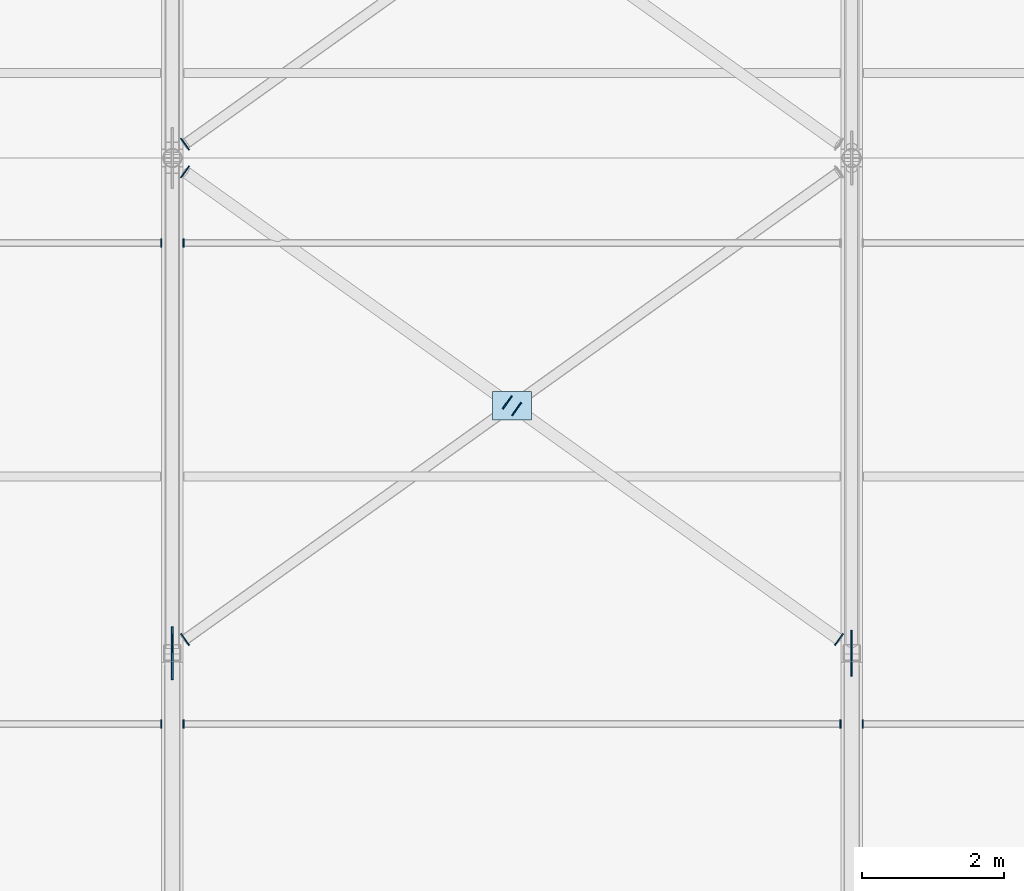
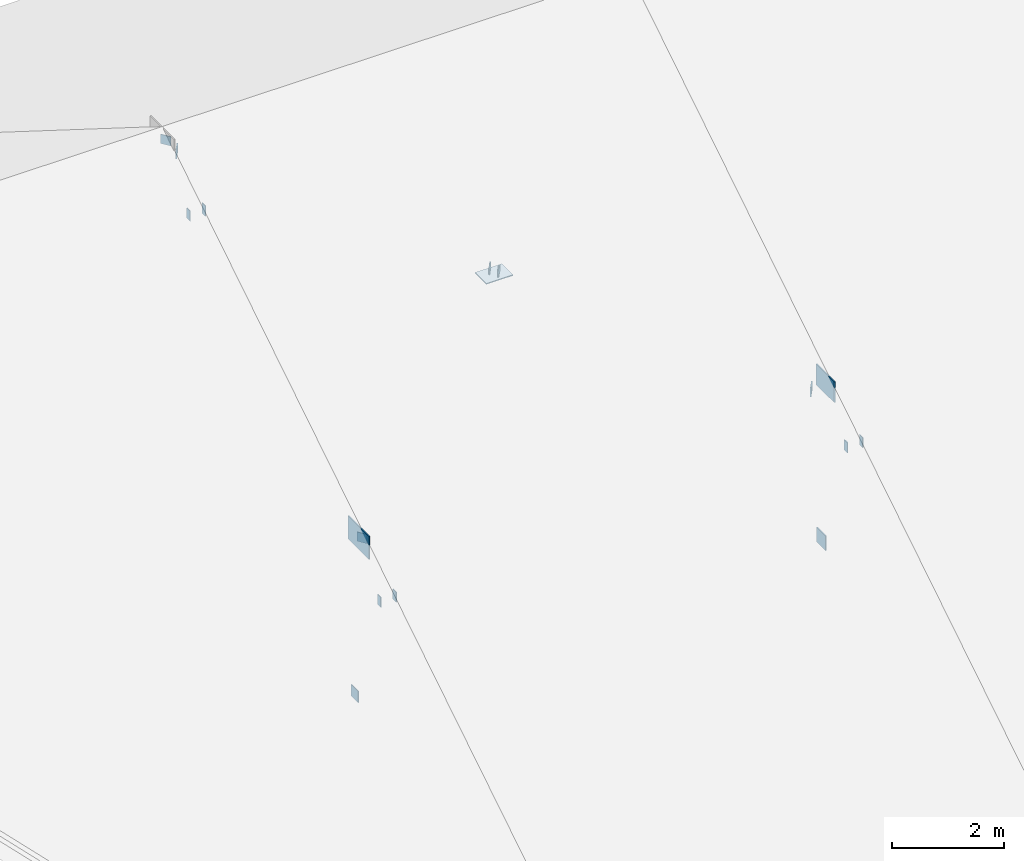
# One storey, part 42 of 66: 17 plates.
"""IFC4 building model written with IfcOpenShell, lengths in metres."""

import ifcopenshell
import ifcopenshell.guid

model = None  # the IFC model being written
_history = None  # IfcOwnerHistory: only IFC2X3 demands one
_inside = {}  # id of a spatial element -> (the spatial element, [elements in it])
_under = {}  # id of a project, library or spatial element -> (it, [spatial elements below it])
_declared = {}  # id of a project -> (the project, [libraries it declares])
_typed = {}  # id of a type object -> (the type object, [elements of that type])
_made_of = {}  # id of a material, layer set ... -> (it, [elements and type objects made of it])


def new_model(schema):
    """Start an empty IFC model of exactly this schema.

    Asked for "IFC4X3", IfcOpenShell would pick the latest addendum, in which some entities
    have other attributes; the version numbers below select the first issue.
    IFC2X3 requires an IfcOwnerHistory on every rooted entity: one is made here for all.
    """
    global model, _history
    if schema == "IFC4X3":
        model = ifcopenshell.file(schema_version=(4, 3, 0, 0))
    else:
        model = ifcopenshell.file(schema=schema)
    _inside.clear()
    _under.clear()
    _declared.clear()
    _typed.clear()
    _made_of.clear()
    _history = None
    if model.schema == "IFC2X3":
        org = make("IfcOrganization", Name="unknown")
        user = make(
            "IfcPersonAndOrganization",
            ThePerson=make("IfcPerson", FamilyName="unknown"),
            TheOrganization=org,
        )
        app = make(
            "IfcApplication",
            ApplicationDeveloper=org,
            Version="unknown",
            ApplicationFullName="unknown",
            ApplicationIdentifier="unknown",
        )
        _history = make(
            "IfcOwnerHistory",
            OwningUser=user,
            OwningApplication=app,
            ChangeAction="ADDED",
            CreationDate=0,
        )
    return model


def make(cls, **values):
    """One entity of the class cls with the attributes given. An attribute that is None is left unset."""
    return model.create_entity(
        cls, **{name: value for name, value in values.items() if value is not None}
    )


def rooted(cls, **values):
    """An entity with a GlobalId (a new one), such as an element, a storey or a relation."""
    return make(cls, GlobalId=ifcopenshell.guid.new(), OwnerHistory=_history, **values)


def si_unit(unit_type, name, prefix=None):
    """IfcSIUnit, for example si_unit("LENGTHUNIT", "METRE", prefix="MILLI")."""
    return make("IfcSIUnit", UnitType=unit_type, Prefix=prefix, Name=name)


def assignment(units):
    """IfcUnitAssignment: the units of a project."""
    return None if units is None else make("IfcUnitAssignment", Units=units)


def point(xyz):
    """IfcCartesianPoint."""
    return None if xyz is None else make("IfcCartesianPoint", Coordinates=xyz)


def direction(xyz):
    """IfcDirection."""
    return None if xyz is None else make("IfcDirection", DirectionRatios=xyz)


def frame(location, z_axis=None, x_axis=None):
    """IfcAxis2Placement3D, a coordinate frame: its origin and axes. An axis left out is left unset."""
    return make(
        "IfcAxis2Placement3D",
        Location=point(location),
        Axis=direction(z_axis),
        RefDirection=direction(x_axis),
    )


def frame_2d(location, x_axis=None):
    """IfcAxis2Placement2D, a coordinate frame in the plane: its origin and x axis."""
    return make(
        "IfcAxis2Placement2D", Location=point(location), RefDirection=direction(x_axis)
    )


def origin():
    """The frame at (0, 0, 0) with its axes left unset."""
    return frame((0.0, 0.0, 0.0))


def origin_2d():
    """The frame at (0, 0) in the plane with its x axis left unset."""
    return frame_2d((0.0, 0.0))


def place(relative_to, where):
    """IfcLocalPlacement: puts the frame where relative to a parent placement (None: the world)."""
    return make(
        "IfcLocalPlacement", PlacementRelTo=relative_to, RelativePlacement=where
    )


def context(
    kind, dimensions, precision=None, world=None, true_north=None, identifier=None
):
    """IfcGeometricRepresentationContext, for example the 3D "Model" context."""
    return make(
        "IfcGeometricRepresentationContext",
        ContextIdentifier=identifier,
        ContextType=kind,
        CoordinateSpaceDimension=dimensions,
        Precision=precision,
        WorldCoordinateSystem=world,
        TrueNorth=true_north,
    )


def subcontext(parent, identifier, kind, view, scale=None):
    """IfcGeometricRepresentationSubContext, for example "Body" below "Model"."""
    return make(
        "IfcGeometricRepresentationSubContext",
        ContextIdentifier=identifier,
        ContextType=kind,
        ParentContext=parent,
        TargetScale=scale,
        TargetView=view,
    )


def project(units=None, contexts=None):
    """IfcProject with its units and contexts."""
    return rooted(
        "IfcProject",
        Name="project",
        RepresentationContexts=contexts,
        UnitsInContext=assignment(units),
    )


def spatial(cls, under=None, at=None, **own):
    """A site, building, storey or space (cls), placed at a placement, below another one or the project."""
    s = rooted(cls, ObjectPlacement=at, **own)
    if under is not None:
        _under.setdefault(under.id(), (under, []))[1].append(s)
    return s


def profile(cls, at=None, kind="AREA", **sizes):
    """A parametric profile (cls). Its sizes go by their IFC names, for example OverallWidth=200.0."""
    return make(cls, ProfileType=kind, Position=at, **sizes)


def rectangle(**sizes):
    """IfcRectangleProfileDef."""
    return profile("IfcRectangleProfileDef", **sizes)


def extrude(swept, where, along, depth):
    """IfcExtrudedAreaSolid: the profile swept, set in the frame where, extruded along a direction by depth."""
    return make(
        "IfcExtrudedAreaSolid",
        SweptArea=swept,
        Position=where,
        ExtrudedDirection=direction(along),
        Depth=depth,
    )


def shape(context_of_items, identifier, shape_type, items):
    """IfcShapeRepresentation: the items that make up one representation, for example the "Body"."""
    return make(
        "IfcShapeRepresentation",
        ContextOfItems=context_of_items,
        RepresentationIdentifier=identifier,
        RepresentationType=shape_type,
        Items=items,
    )


def material(Name=None, Category=None):
    """IfcMaterial."""
    return make("IfcMaterial", Name=Name, Category=Category)


def layer(
    of_material, thickness, ventilated=None, Name=None, Category=None, Priority=None
):
    """IfcMaterialLayer: one layer of a wall or slab, of a material (None: an air gap)."""
    return make(
        "IfcMaterialLayer",
        Material=of_material,
        LayerThickness=thickness,
        IsVentilated=ventilated,
        Name=Name,
        Category=Category,
        Priority=Priority,
    )


def layer_set(layers, Name=None):
    """IfcMaterialLayerSet."""
    return make("IfcMaterialLayerSet", MaterialLayers=layers, LayerSetName=Name)


def made_of(thing, what):
    """Note that an element or type object is made of a material, layer set ...; save() writes the relation."""
    if what is not None:
        _made_of.setdefault(what.id(), (what, []))[1].append(thing)
    return thing


def type_object(cls, material=None, **own):
    """A type object (cls), such as IfcWallType, which elements share."""
    return made_of(rooted(cls, **own), material)


def element(
    cls,
    number,
    at=None,
    inside=None,
    cuts=None,
    type_object=None,
    material=None,
    context=None,
    identifier="Body",
    shape_type=None,
    held_by="IfcProductDefinitionShape",
    body=None,
    shapes=None,
    **own,
):
    """One element of the class cls, such as IfcWall. Its Tag is "e" and its number.

    at: its placement. inside: the storey or other place that contains it. cuts: it is an
    opening in that element (IfcRelVoidsElement). A single representation is given by context,
    identifier, shape_type and body (its items); several are given by shapes. held_by: the class
    of the entity that holds the representations. save() writes the other relations.
    """
    e = rooted(cls, Tag="e%d" % number, ObjectPlacement=at, **own)
    if body is not None:
        shapes = [shape(context, identifier, shape_type, body)]
    if shapes is not None:
        e.Representation = make(held_by, Representations=shapes)
    if inside is not None:
        _inside.setdefault(inside.id(), (inside, []))[1].append(e)
    if cuts is not None:
        rooted(
            "IfcRelVoidsElement", RelatingBuildingElement=cuts, RelatedOpeningElement=e
        )
    if type_object is not None:
        _typed.setdefault(type_object.id(), (type_object, []))[1].append(e)
    return made_of(e, material)


def aggregate(whole, parts):
    """IfcRelAggregates: a whole, such as a stair, and the parts it consists of."""
    return rooted("IfcRelAggregates", RelatingObject=whole, RelatedObjects=parts)


def save(model, path):
    """Write the relations noted so far, then the file.

    IfcRelAggregates (storeys below a building ...), IfcRelContainedInSpatialStructure (elements
    in a storey), IfcRelDefinesByType, IfcRelAssociatesMaterial and IfcRelDeclares: one each for
    every whole, place, type object, material and project.
    """
    for whole, parts in _under.values():
        aggregate(whole, parts)
    for where, things in _inside.values():
        rooted(
            "IfcRelContainedInSpatialStructure",
            RelatedElements=things,
            RelatingStructure=where,
        )
    for kind, things in _typed.values():
        rooted("IfcRelDefinesByType", RelatedObjects=things, RelatingType=kind)
    for what, things in _made_of.values():
        rooted("IfcRelAssociatesMaterial", RelatedObjects=things, RelatingMaterial=what)
    for by, libraries in _declared.values():
        rooted("IfcRelDeclares", RelatingContext=by, RelatedDefinitions=libraries)
    model.write(path)


model = new_model("IFC4")

# Units and contexts
model_context = context("Model", 3, precision=1e-05, world=origin(), true_north=direction((0.0, 1.0)))
body_context = subcontext(model_context, "Body", "Model", "MODEL_VIEW")
ifc_project = project(units=[si_unit("LENGTHUNIT", "METRE"), si_unit("AREAUNIT", "SQUARE_METRE"), si_unit("VOLUMEUNIT", "CUBIC_METRE"), si_unit("PLANEANGLEUNIT", "RADIAN"), si_unit("MASSUNIT", "GRAM", prefix="KILO")], contexts=[model_context])

# Site, building, storey
site_placement = place(None, origin())
site = spatial("IfcSite", under=ifc_project, at=site_placement, CompositionType="ELEMENT")
building_placement = place(site_placement, origin())
building = spatial("IfcBuilding", under=site, at=building_placement, Name="Yeouljin Market Hall", CompositionType="ELEMENT")
storey_placement = place(building_placement, frame((0.0, 0.0, 23.39990234375)))
storey = spatial("IfcBuildingStorey", under=building, at=storey_placement, Name="RF", CompositionType="ELEMENT", Elevation=23.39990234375)

# Plates
ifc_material_1 = material(Name="Steel SM355", Category="steel")
ifc_layer_1 = layer(ifc_material_1, 0.01611328125)
ifc_layer_set_1 = layer_set([ifc_layer_1], Name="Steel SM355")
plate_type_1 = type_object("IfcPlateType", Name="CapPlate_200x200x16", PredefinedType="SHEET", material=ifc_layer_set_1)
for number, where, z_axis, x_axis, name in (
    (1, (83.579833984375, 50.19580078125, -3.78271484375), (0.0, 0.0, 1.0), (-0.581697151818, 0.813405448449, 0.0), "Wind brace end-cap plate 0157"),
    (2, (83.579833984375, 56.80419921875, 0.623046875), (0.0, 0.0, 1.0), (0.581697151818, 0.813405448449, 0.0), "Wind brace end-cap plate 0159"),
    (3, (92.820068359375, 50.19580078125, -3.78271484375), (0.0, 0.0, 1.0), (0.581697151818, 0.813405448449, 0.0), "Wind brace end-cap plate 0162"),
    (4, (83.579833984375, 57.19580078125, 0.623046875), (0.0, 0.0, 1.0), (-0.581697151818, 0.813405448449, 0.0), "Wind brace end-cap plate 0163"),
):
    element("IfcPlate", number, at=place(storey_placement, frame(where, z_axis=z_axis, x_axis=x_axis)), inside=storey, type_object=plate_type_1, Name=name, PredefinedType="SHEET", context=body_context, shape_type="SweptSolid", body=[
        extrude(rectangle(XDim=0.199951171875, YDim=0.01611328125, at=origin_2d()), origin(), (0.0, 0.0, 1.0), 0.199951171875),
    ])
ifc_material_2 = material(Name="Steel SM355", Category="steel")
ifc_layer_2 = layer(ifc_material_2, 0.01611328125)
ifc_layer_set_2 = layer_set([ifc_layer_2], Name="Steel SM355")
plate_type_2 = type_object("IfcPlateType", Name="CapPlate_220x120x16", PredefinedType="SHEET", material=ifc_layer_set_2)
for number, where, z_axis, x_axis, name in (
    (5, (83.241943359375, 49.0, -4.318359375), (0.0, 0.0, 1.0), (0.0, 1.0, 0.0), "Purlin end-cap plate 0136"),
    (6, (83.241943359375, 55.800048828125, -0.0439453125), (0.0, 0.0, 1.0), (0.0, 1.0, 0.0), "Purlin end-cap plate 0138"),
    (7, (83.55810546875, 49.0, -4.318359375), (0.0, 0.0, 1.0), (0.0, 1.0, 0.0), "Purlin end-cap plate 0147"),
    (8, (92.842041015625, 49.0, -4.318359375), (0.0, 0.0, 1.0), (0.0, 1.0, 0.0), "Purlin end-cap plate 0148"),
    (9, (83.55810546875, 55.800048828125, -0.0439453125), (0.0, 0.0, 1.0), (0.0, 1.0, 0.0), "Purlin end-cap plate 0149"),
):
    element("IfcPlate", number, at=place(storey_placement, frame(where, z_axis=z_axis, x_axis=x_axis)), inside=storey, type_object=plate_type_2, Name=name, PredefinedType="SHEET", context=body_context, shape_type="SweptSolid", body=[
        extrude(rectangle(XDim=0.1201171875, YDim=0.01611328125, at=origin_2d()), origin(), (0.0, 0.0, 1.0), 0.219970703125),
    ])
for number, where, z_axis, x_axis, name in (
    (10, (88.134033203125, 53.547119140625, -1.508544921875), (0.0, 0.0, 1.0), (0.581697151818, 0.813405448449, 0.0), "Wind brace end-cap plate 0160"),
    (11, (88.265869140625, 53.452880859375, -1.554931640625), (0.0, 0.0, 1.0), (0.581697151818, 0.813405448449, 0.0), "Wind brace end-cap plate 0161"),
):
    element("IfcPlate", number, at=place(storey_placement, frame(where, z_axis=z_axis, x_axis=x_axis)), inside=storey, type_object=plate_type_2, Name=name, PredefinedType="SHEET", context=body_context, shape_type="SweptSolid", body=[
        extrude(rectangle(XDim=0.219970703125, YDim=0.01611328125, at=origin_2d()), origin(), (0.0, 0.0, 1.0), 0.1201171875),
    ])
plate_1_placement = place(storey_placement, frame((93.157958984375, 49.0, -4.318359375), z_axis=(0.0, 0.0, 1.0), x_axis=(0.0, 1.0, 0.0)))
element("IfcPlate", 12, at=plate_1_placement, inside=storey, type_object=plate_type_2, Name="Purlin end-cap plate 0171", PredefinedType="SHEET", context=body_context, shape_type="SweptSolid", body=[
    extrude(rectangle(XDim=0.1201171875, YDim=0.01611328125, at=origin_2d()), origin(), (0.0, 0.0, 1.0), 0.219970703125),
])
ifc_material_3 = material(Name="Steel SM355", Category="steel")
ifc_layer_3 = layer(ifc_material_3, 0.01611328125)
ifc_layer_set_3 = layer_set([ifc_layer_3], Name="Steel SM355")
plate_type_3 = type_object("IfcPlateType", Name="CapPlate_250x250x16", PredefinedType="SHEET", material=ifc_layer_set_3)
plate_2_placement = place(storey_placement, frame((83.39990234375, 50.144287109375, -7.103271484375), z_axis=(0.0, 0.0, 1.0), x_axis=(0.0, 1.0, 0.0)))
element("IfcPlate", 13, at=plate_2_placement, inside=storey, type_object=plate_type_3, Name="Hollow web end-cap plate 0022", PredefinedType="SHEET", context=body_context, shape_type="SweptSolid", body=[
    extrude(rectangle(XDim=0.25, YDim=0.01611328125, at=origin_2d()), origin(), (0.0, 0.0, 1.0), 0.25),
])
ifc_material_4 = material(Name="Steel SM355", Category="steel")
ifc_layer_4 = layer(ifc_material_4, 0.02001953125)
ifc_layer_set_4 = layer_set([ifc_layer_4], Name="Steel SM355")
plate_type_4 = type_object("IfcPlateType", Name="CapPlate_320x320x20", PredefinedType="SHEET", material=ifc_layer_set_4)
plate_3_placement = place(storey_placement, frame((93.0, 50.144287109375, -7.13818359375), z_axis=(0.0, 0.0, 1.0), x_axis=(0.0, 1.0, 0.0)))
element("IfcPlate", 14, at=plate_3_placement, inside=storey, type_object=plate_type_4, Name="Hollow web end-cap plate 0026", PredefinedType="SHEET", context=body_context, shape_type="SweptSolid", body=[
    extrude(rectangle(XDim=0.320068359375, YDim=0.02001953125, at=origin_2d()), origin(), (0.0, 0.0, 1.0), 0.320068359375),
])
ifc_material_5 = material(Name="Steel SM355", Category="steel")
ifc_layer_5 = layer(ifc_material_5, 0.02001953125)
ifc_layer_set_5 = layer_set([ifc_layer_5], Name="Steel SM355")
plate_type_5 = type_object("IfcPlateType", Name="GussetPlate_550x400x20", PredefinedType="USERDEFINED", material=ifc_layer_set_5)
plate_4_placement = place(storey_placement, frame((88.199951171875, 53.5, -1.579833984375), z_axis=(0.0, 0.0, 1.0), x_axis=(1.0, 0.0, 0.0)))
element("IfcPlate", 15, at=plate_4_placement, inside=storey, type_object=plate_type_5, Name="X-brace crossing node gusset plate 005", ObjectType="GUSSET PLATE", PredefinedType="USERDEFINED", context=body_context, shape_type="SweptSolid", body=[
    extrude(rectangle(XDim=0.550048828125, YDim=0.39990234375, at=origin_2d()), origin(), (0.0, 0.0, 1.0), 0.02001953125),
])
ifc_material_6 = material(Name="Steel SM355", Category="steel")
ifc_layer_6 = layer(ifc_material_6, 0.02197265625)
ifc_layer_set_6 = layer_set([ifc_layer_6], Name="Steel SM355")
plate_type_6 = type_object("IfcPlateType", Name="GussetPlate_650x450x22", PredefinedType="USERDEFINED", material=ifc_layer_set_6)
plate_5_placement = place(storey_placement, frame((93.0, 50.0, -3.72509765625), z_axis=(0.0, 0.0, 1.0), x_axis=(0.0, 1.0, 0.0)))
element("IfcPlate", 16, at=plate_5_placement, inside=storey, type_object=plate_type_6, Name="Truss node gusset plate 032", ObjectType="GUSSET PLATE", PredefinedType="USERDEFINED", context=body_context, shape_type="SweptSolid", body=[
    extrude(rectangle(XDim=0.64990234375, YDim=0.02197265625, at=origin_2d()), origin(), (0.0, 0.0, 1.0), 0.449951171875),
])
ifc_material_7 = material(Name="Steel SM355", Category="steel")
ifc_layer_7 = layer(ifc_material_7, 0.02392578125)
ifc_layer_set_7 = layer_set([ifc_layer_7], Name="Steel SM355")
plate_type_7 = type_object("IfcPlateType", Name="GussetPlate_750x500x24", PredefinedType="USERDEFINED", material=ifc_layer_set_7)
plate_6_placement = place(storey_placement, frame((83.39990234375, 50.0, -3.75), z_axis=(0.0, 0.0, 1.0), x_axis=(0.0, 1.0, 0.0)))
element("IfcPlate", 17, at=plate_6_placement, inside=storey, type_object=plate_type_7, Name="Truss node gusset plate 027", ObjectType="GUSSET PLATE", PredefinedType="USERDEFINED", context=body_context, shape_type="SweptSolid", body=[
    extrude(rectangle(XDim=0.75, YDim=0.02392578125, at=origin_2d()), origin(), (0.0, 0.0, 1.0), 0.5),
])

save(model, "model.ifc")
